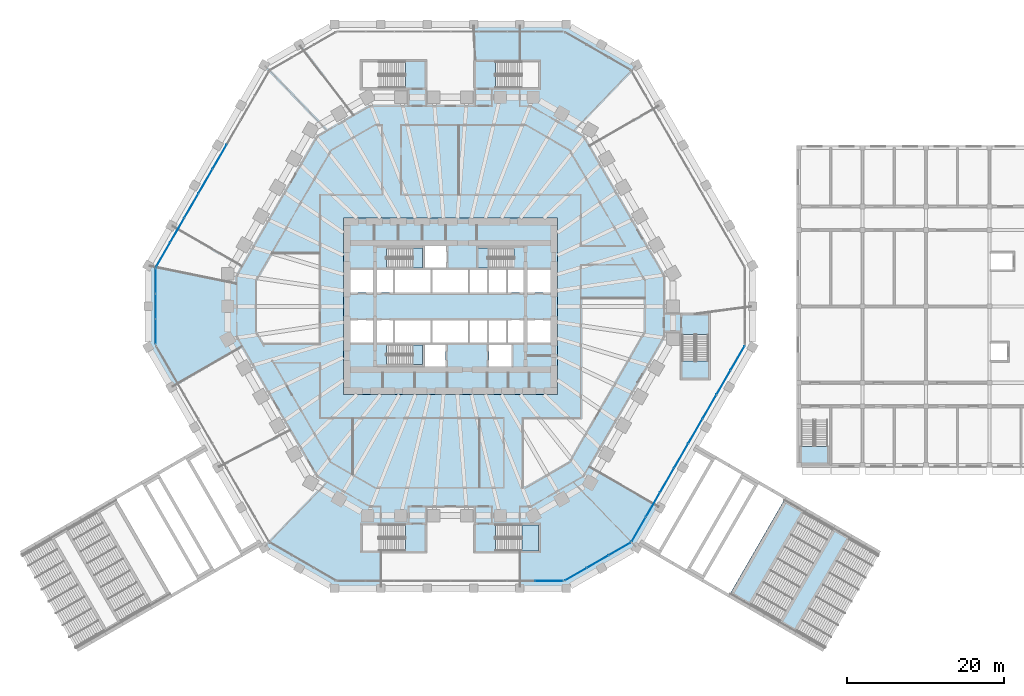
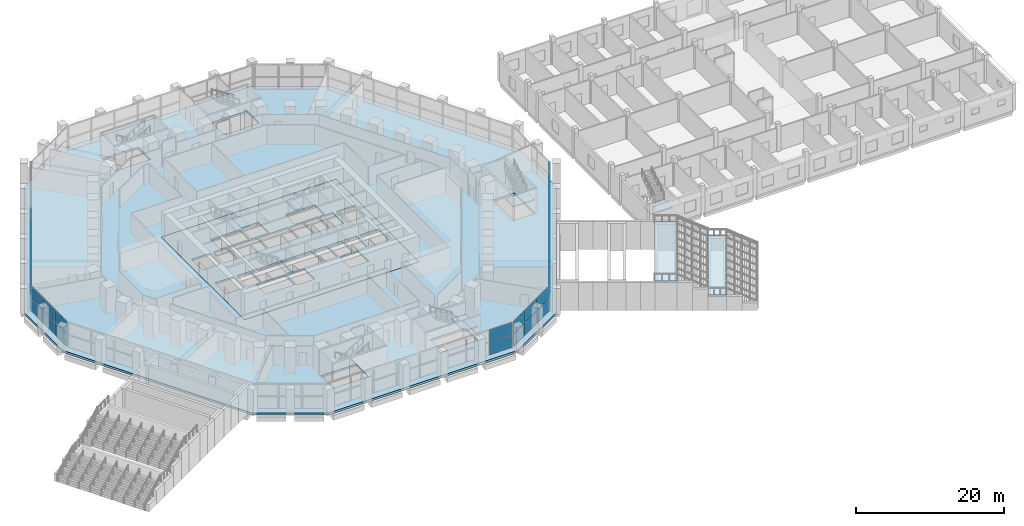
# One storey, part 16 of 38: 40 plates, 10 slabs, 12 elements without a shape of their own.
"""IFC4 building model written with IfcOpenShell, lengths in metres."""

import ifcopenshell
import ifcopenshell.guid

model = None  # the IFC model being written
_history = None  # IfcOwnerHistory: only IFC2X3 demands one
_inside = {}  # id of a spatial element -> (the spatial element, [elements in it])
_under = {}  # id of a project, library or spatial element -> (it, [spatial elements below it])
_declared = {}  # id of a project -> (the project, [libraries it declares])
_typed = {}  # id of a type object -> (the type object, [elements of that type])
_made_of = {}  # id of a material, layer set ... -> (it, [elements and type objects made of it])


def new_model(schema):
    """Start an empty IFC model of exactly this schema.

    Asked for "IFC4X3", IfcOpenShell would pick the latest addendum, in which some entities
    have other attributes; the version numbers below select the first issue.
    IFC2X3 requires an IfcOwnerHistory on every rooted entity: one is made here for all.
    """
    global model, _history
    if schema == "IFC4X3":
        model = ifcopenshell.file(schema_version=(4, 3, 0, 0))
    else:
        model = ifcopenshell.file(schema=schema)
    _inside.clear()
    _under.clear()
    _declared.clear()
    _typed.clear()
    _made_of.clear()
    _history = None
    if model.schema == "IFC2X3":
        org = make("IfcOrganization", Name="unknown")
        user = make(
            "IfcPersonAndOrganization",
            ThePerson=make("IfcPerson", FamilyName="unknown"),
            TheOrganization=org,
        )
        app = make(
            "IfcApplication",
            ApplicationDeveloper=org,
            Version="unknown",
            ApplicationFullName="unknown",
            ApplicationIdentifier="unknown",
        )
        _history = make(
            "IfcOwnerHistory",
            OwningUser=user,
            OwningApplication=app,
            ChangeAction="ADDED",
            CreationDate=0,
        )
    return model


def make(cls, **values):
    """One entity of the class cls with the attributes given. An attribute that is None is left unset."""
    return model.create_entity(
        cls, **{name: value for name, value in values.items() if value is not None}
    )


def rooted(cls, **values):
    """An entity with a GlobalId (a new one), such as an element, a storey or a relation."""
    return make(cls, GlobalId=ifcopenshell.guid.new(), OwnerHistory=_history, **values)


def si_unit(unit_type, name, prefix=None):
    """IfcSIUnit, for example si_unit("LENGTHUNIT", "METRE", prefix="MILLI")."""
    return make("IfcSIUnit", UnitType=unit_type, Prefix=prefix, Name=name)


def assignment(units):
    """IfcUnitAssignment: the units of a project."""
    return None if units is None else make("IfcUnitAssignment", Units=units)


def point(xyz):
    """IfcCartesianPoint."""
    return None if xyz is None else make("IfcCartesianPoint", Coordinates=xyz)


def direction(xyz):
    """IfcDirection."""
    return None if xyz is None else make("IfcDirection", DirectionRatios=xyz)


def frame(location, z_axis=None, x_axis=None):
    """IfcAxis2Placement3D, a coordinate frame: its origin and axes. An axis left out is left unset."""
    return make(
        "IfcAxis2Placement3D",
        Location=point(location),
        Axis=direction(z_axis),
        RefDirection=direction(x_axis),
    )


def frame_2d(location, x_axis=None):
    """IfcAxis2Placement2D, a coordinate frame in the plane: its origin and x axis."""
    return make(
        "IfcAxis2Placement2D", Location=point(location), RefDirection=direction(x_axis)
    )


def origin():
    """The frame at (0, 0, 0) with its axes left unset."""
    return frame((0.0, 0.0, 0.0))


def origin_2d():
    """The frame at (0, 0) in the plane with its x axis left unset."""
    return frame_2d((0.0, 0.0))


def place(relative_to, where):
    """IfcLocalPlacement: puts the frame where relative to a parent placement (None: the world)."""
    return make(
        "IfcLocalPlacement", PlacementRelTo=relative_to, RelativePlacement=where
    )


def context(
    kind, dimensions, precision=None, world=None, true_north=None, identifier=None
):
    """IfcGeometricRepresentationContext, for example the 3D "Model" context."""
    return make(
        "IfcGeometricRepresentationContext",
        ContextIdentifier=identifier,
        ContextType=kind,
        CoordinateSpaceDimension=dimensions,
        Precision=precision,
        WorldCoordinateSystem=world,
        TrueNorth=true_north,
    )


def subcontext(parent, identifier, kind, view, scale=None):
    """IfcGeometricRepresentationSubContext, for example "Body" below "Model"."""
    return make(
        "IfcGeometricRepresentationSubContext",
        ContextIdentifier=identifier,
        ContextType=kind,
        ParentContext=parent,
        TargetScale=scale,
        TargetView=view,
    )


def project(units=None, contexts=None):
    """IfcProject with its units and contexts."""
    return rooted(
        "IfcProject",
        Name="project",
        RepresentationContexts=contexts,
        UnitsInContext=assignment(units),
    )


def spatial(cls, under=None, at=None, **own):
    """A site, building, storey or space (cls), placed at a placement, below another one or the project."""
    s = rooted(cls, ObjectPlacement=at, **own)
    if under is not None:
        _under.setdefault(under.id(), (under, []))[1].append(s)
    return s


def polyline(points):
    """IfcPolyline through the points."""
    return make("IfcPolyline", Points=[point(p) for p in points])


def profile(cls, at=None, kind="AREA", **sizes):
    """A parametric profile (cls). Its sizes go by their IFC names, for example OverallWidth=200.0."""
    return make(cls, ProfileType=kind, Position=at, **sizes)


def rectangle(**sizes):
    """IfcRectangleProfileDef."""
    return profile("IfcRectangleProfileDef", **sizes)


def outline(outer, holes=None, kind="AREA"):
    """IfcArbitraryClosedProfileDef: a profile drawn as a closed curve; with holes, ...WithVoids."""
    if holes is None:
        return make("IfcArbitraryClosedProfileDef", ProfileType=kind, OuterCurve=outer)
    return make(
        "IfcArbitraryProfileDefWithVoids",
        ProfileType=kind,
        OuterCurve=outer,
        InnerCurves=holes,
    )


def extrude(swept, where, along, depth):
    """IfcExtrudedAreaSolid: the profile swept, set in the frame where, extruded along a direction by depth."""
    return make(
        "IfcExtrudedAreaSolid",
        SweptArea=swept,
        Position=where,
        ExtrudedDirection=direction(along),
        Depth=depth,
    )


def shape(context_of_items, identifier, shape_type, items):
    """IfcShapeRepresentation: the items that make up one representation, for example the "Body"."""
    return make(
        "IfcShapeRepresentation",
        ContextOfItems=context_of_items,
        RepresentationIdentifier=identifier,
        RepresentationType=shape_type,
        Items=items,
    )


def material(Name=None, Category=None):
    """IfcMaterial."""
    return make("IfcMaterial", Name=Name, Category=Category)


def layer(
    of_material, thickness, ventilated=None, Name=None, Category=None, Priority=None
):
    """IfcMaterialLayer: one layer of a wall or slab, of a material (None: an air gap)."""
    return make(
        "IfcMaterialLayer",
        Material=of_material,
        LayerThickness=thickness,
        IsVentilated=ventilated,
        Name=Name,
        Category=Category,
        Priority=Priority,
    )


def layer_set(layers, Name=None):
    """IfcMaterialLayerSet."""
    return make("IfcMaterialLayerSet", MaterialLayers=layers, LayerSetName=Name)


def made_of(thing, what):
    """Note that an element or type object is made of a material, layer set ...; save() writes the relation."""
    if what is not None:
        _made_of.setdefault(what.id(), (what, []))[1].append(thing)
    return thing


def type_object(cls, material=None, **own):
    """A type object (cls), such as IfcWallType, which elements share."""
    return made_of(rooted(cls, **own), material)


def element(
    cls,
    number,
    at=None,
    inside=None,
    cuts=None,
    type_object=None,
    material=None,
    context=None,
    identifier="Body",
    shape_type=None,
    held_by="IfcProductDefinitionShape",
    body=None,
    shapes=None,
    **own,
):
    """One element of the class cls, such as IfcWall. Its Tag is "e" and its number.

    at: its placement. inside: the storey or other place that contains it. cuts: it is an
    opening in that element (IfcRelVoidsElement). A single representation is given by context,
    identifier, shape_type and body (its items); several are given by shapes. held_by: the class
    of the entity that holds the representations. save() writes the other relations.
    """
    e = rooted(cls, Tag="e%d" % number, ObjectPlacement=at, **own)
    if body is not None:
        shapes = [shape(context, identifier, shape_type, body)]
    if shapes is not None:
        e.Representation = make(held_by, Representations=shapes)
    if inside is not None:
        _inside.setdefault(inside.id(), (inside, []))[1].append(e)
    if cuts is not None:
        rooted(
            "IfcRelVoidsElement", RelatingBuildingElement=cuts, RelatedOpeningElement=e
        )
    if type_object is not None:
        _typed.setdefault(type_object.id(), (type_object, []))[1].append(e)
    return made_of(e, material)


def aggregate(whole, parts):
    """IfcRelAggregates: a whole, such as a stair, and the parts it consists of."""
    return rooted("IfcRelAggregates", RelatingObject=whole, RelatedObjects=parts)


def save(model, path):
    """Write the relations noted so far, then the file.

    IfcRelAggregates (storeys below a building ...), IfcRelContainedInSpatialStructure (elements
    in a storey), IfcRelDefinesByType, IfcRelAssociatesMaterial and IfcRelDeclares: one each for
    every whole, place, type object, material and project.
    """
    for whole, parts in _under.values():
        aggregate(whole, parts)
    for where, things in _inside.values():
        rooted(
            "IfcRelContainedInSpatialStructure",
            RelatedElements=things,
            RelatingStructure=where,
        )
    for kind, things in _typed.values():
        rooted("IfcRelDefinesByType", RelatedObjects=things, RelatingType=kind)
    for what, things in _made_of.values():
        rooted("IfcRelAssociatesMaterial", RelatedObjects=things, RelatingMaterial=what)
    for by, libraries in _declared.values():
        rooted("IfcRelDeclares", RelatingContext=by, RelatedDefinitions=libraries)
    model.write(path)


model = new_model("IFC4")

# Units and contexts
model_context = context("Model", 3, precision=1e-05, world=origin(), true_north=direction((0.0, 1.0)))
body_context = subcontext(model_context, "Body", "Model", "MODEL_VIEW")
ifc_project = project(units=[si_unit("LENGTHUNIT", "METRE"), si_unit("AREAUNIT", "SQUARE_METRE"), si_unit("VOLUMEUNIT", "CUBIC_METRE"), si_unit("PLANEANGLEUNIT", "RADIAN"), si_unit("MASSUNIT", "GRAM", prefix="KILO")], contexts=[model_context])

# Site, building, storey
site_placement = place(None, origin())
site = spatial("IfcSite", under=ifc_project, at=site_placement, CompositionType="ELEMENT")
building_placement = place(site_placement, origin())
building = spatial("IfcBuilding", under=site, at=building_placement, Name="Frailejon Research Tower", CompositionType="ELEMENT")
storey_placement = place(building_placement, frame((0.0, 0.0, 5.60009765625)))
storey = spatial("IfcBuildingStorey", under=building, at=storey_placement, Name="L01", CompositionType="ELEMENT", Elevation=5.60009765625)

# Stair, slabs
ifc_material_1 = material(Name="Concrete C35/45", Category="concrete")
stair_type_1 = type_object("IfcStairType", Name="Broad stair", PredefinedType="STRAIGHT_RUN_STAIR", material=ifc_material_1)
stair_1_placement = place(storey_placement, origin())
stair_1 = element("IfcStair", 1, at=stair_1_placement, inside=storey, type_object=stair_type_1, Name="Broad stair E2", PredefinedType="STRAIGHT_RUN_STAIR")
ifc_material_2 = material(Name="Concrete C35/45", Category="concrete")
ifc_layer_1 = layer(ifc_material_2, 0.199951171875)
ifc_layer_set_1 = layer_set([ifc_layer_1], Name="Broad stair landing")
slab_type_1 = type_object("IfcSlabType", Name="Broad stair landing", PredefinedType="LANDING", material=ifc_layer_set_1)
slab_1_placement = place(storey_placement, frame((0.0, 0.0, 4.39990234375)))
slab_1 = element("IfcSlab", 2, at=slab_1_placement, type_object=slab_type_1, Name="SS-E2 landing 1", PredefinedType="LANDING", context=body_context, shape_type="SweptSolid", body=[
    extrude(outline(polyline([(35.65185546875, -36.74951171875), (38.33642578125, -38.29931640625), (45.33642578125, -26.175048828125), (42.65185546875, -24.625), (35.65185546875, -36.74951171875)])), origin(), (0.0, 0.0, 1.0), 0.199951171875),
])
slab_2_placement = place(storey_placement, frame((0.0, 0.0, 2.099853515625)))
slab_2 = element("IfcSlab", 3, at=slab_2_placement, type_object=slab_type_1, Name="SS-E2 landing 2", PredefinedType="LANDING", context=body_context, shape_type="SweptSolid", body=[
    extrude(outline(polyline([(41.88720703125, -40.349365234375), (44.138916015625, -41.6494140625), (51.138916015625, -29.52490234375), (48.88720703125, -28.22509765625), (41.88720703125, -40.349365234375)])), origin(), (0.0, 0.0, 1.0), 0.199951171875),
])
aggregate(stair_1, [slab_1, slab_2])

# Slab
ifc_material_3 = material(Name="Concrete C70/85", Category="concrete")
ifc_layer_2 = layer(ifc_material_3, 0.300048828125)
ifc_layer_set_2 = layer_set([ifc_layer_2], Name="Core floor slab 300 C70/85")
slab_type_2 = type_object("IfcSlabType", Name="Core floor slab 300 C70/85", PredefinedType="FLOOR", material=ifc_layer_set_2)
slab_3_placement = place(storey_placement, frame((0.0, 0.0, -0.300048828125)))
element("IfcSlab", 4, at=slab_3_placement, inside=storey, type_object=slab_type_2, Name="Core floor slab", PredefinedType="FLOOR", context=body_context, shape_type="SweptSolid", body=[
    extrude(outline(polyline([(13.64990234375, -11.25), (13.64990234375, 11.25), (-13.64990234375, 11.25), (-13.64990234375, -11.25), (13.64990234375, -11.25)]), holes=[polyline([(-9.85009765625, 1.75), (-9.85009765625, 4.64990234375), (-12.75, 4.64990234375), (-12.75, 1.75), (-9.85009765625, 1.75)]), polyline([(-7.300048828125, 1.75), (-7.300048828125, 4.64990234375), (-9.35009765625, 4.64990234375), (-9.35009765625, 1.75), (-7.300048828125, 1.75)]), polyline([(-2.5, 1.75), (-2.5, 4.64990234375), (-7.10009765625, 4.64990234375), (-7.10009765625, 1.75), (-2.5, 1.75)]), polyline([(2.300048828125, 1.75), (2.300048828125, 4.64990234375), (-2.300048828125, 4.64990234375), (-2.300048828125, 1.75), (2.300048828125, 1.75)]), polyline([(4.699951171875, 1.75), (4.699951171875, 4.64990234375), (2.5, 4.64990234375), (2.5, 1.75), (4.699951171875, 1.75)]), polyline([(7.10009765625, 1.75), (7.10009765625, 4.64990234375), (4.89990234375, 4.64990234375), (4.89990234375, 1.75), (7.10009765625, 1.75)]), polyline([(9.35009765625, 1.75), (9.35009765625, 4.64990234375), (7.300048828125, 4.64990234375), (7.300048828125, 1.75), (9.35009765625, 1.75)]), polyline([(12.75, 1.75), (12.75, 4.64990234375), (9.85009765625, 4.64990234375), (9.85009765625, 1.75), (12.75, 1.75)]), polyline([(-9.85009765625, -4.64990234375), (-9.85009765625, -1.75), (-12.75, -1.75), (-12.75, -4.64990234375), (-9.85009765625, -4.64990234375)]), polyline([(-7.300048828125, -4.64990234375), (-7.300048828125, -1.75), (-9.35009765625, -1.75), (-9.35009765625, -4.64990234375), (-7.300048828125, -4.64990234375)]), polyline([(-2.5, -4.64990234375), (-2.5, -1.75), (-7.10009765625, -1.75), (-7.10009765625, -4.64990234375), (-2.5, -4.64990234375)]), polyline([(2.300048828125, -4.64990234375), (2.300048828125, -1.75), (-2.300048828125, -1.75), (-2.300048828125, -4.64990234375), (2.300048828125, -4.64990234375)]), polyline([(4.699951171875, -4.64990234375), (4.699951171875, -1.75), (2.5, -1.75), (2.5, -4.64990234375), (4.699951171875, -4.64990234375)]), polyline([(7.10009765625, -4.64990234375), (7.10009765625, -1.75), (4.89990234375, -1.75), (4.89990234375, -4.64990234375), (7.10009765625, -4.64990234375)]), polyline([(9.35009765625, -4.64990234375), (9.35009765625, -1.75), (7.300048828125, -1.75), (7.300048828125, -4.64990234375), (9.35009765625, -4.64990234375)]), polyline([(12.75, -4.64990234375), (12.75, -1.75), (9.85009765625, -1.75), (9.85009765625, -4.64990234375), (12.75, -4.64990234375)]), polyline([(-8.14697265625, 4.89990234375), (-3.550048828125, 4.89990234375), (-3.550048828125, 7.449951171875), (-8.14697265625, 7.449951171875), (-8.14697265625, 4.89990234375)]), polyline([(-8.14697265625, -7.449951171875), (-3.550048828125, -7.449951171875), (-3.550048828125, -4.89990234375), (-8.14697265625, -4.89990234375), (-8.14697265625, -7.449951171875)]), polyline([(8.14697265625, 7.449951171875), (3.550048828125, 7.449951171875), (3.550048828125, 4.89990234375), (8.14697265625, 4.89990234375), (8.14697265625, 7.449951171875)]), polyline([(-0.60009765625, -7.699951171875), (-0.60009765625, -4.89990234375), (-3.300048828125, -4.89990234375), (-3.300048828125, -7.699951171875), (-0.60009765625, -7.699951171875)]), polyline([(7.800048828125, -7.699951171875), (7.800048828125, -4.89990234375), (4.89990234375, -4.89990234375), (4.89990234375, -7.699951171875), (7.800048828125, -7.699951171875)]), polyline([(-0.5, 4.89990234375), (-0.5, 7.699951171875), (-3.300048828125, 7.699951171875), (-3.300048828125, 4.89990234375), (-0.5, 4.89990234375)])]), origin(), (0.0, 0.0, 1.0), 0.300048828125),
])

# Stair, slab
ifc_material_4 = material(Name="Concrete C35/45", Category="concrete")
stair_type_2 = type_object("IfcStairType", Name="HC stair", PredefinedType="HALF_TURN_STAIR", material=ifc_material_4)
stair_2_placement = place(storey_placement, origin())
stair_2 = element("IfcStair", 5, at=stair_2_placement, inside=storey, type_object=stair_type_2, Name="L01 HC stair A", PredefinedType="HALF_TURN_STAIR")
ifc_material_5 = material(Name="Concrete C35/45", Category="concrete")
ifc_layer_3 = layer(ifc_material_5, 0.199951171875)
ifc_layer_set_3 = layer_set([ifc_layer_3], Name="HC stair landing")
slab_type_3 = type_object("IfcSlabType", Name="HC stair landing", PredefinedType="LANDING", material=ifc_layer_set_3)
slab_4_placement = place(storey_placement, frame((0.0, 0.0, 2.099853515625)))
slab_4 = element("IfcSlab", 6, at=slab_4_placement, type_object=slab_type_3, Name="HS-A landing 1", PredefinedType="LANDING", context=body_context, shape_type="SweptSolid", body=[
    extrude(outline(polyline([(44.800048828125, -17.860107421875), (44.800048828125, -20.02001953125), (48.14990234375, -20.02001953125), (48.14990234375, -17.860107421875), (44.800048828125, -17.860107421875)])), origin(), (0.0, 0.0, 1.0), 0.199951171875),
])
aggregate(stair_2, [slab_4])

# Curtain wall, plates
ifc_material_6 = material(Name="Aluminium curtain wall", Category="aluminium")
curtain_wall_type = type_object("IfcCurtainWallType", Name="Podium stick curtain wall system", PredefinedType="NOTDEFINED", material=ifc_material_6)
curtain_wall_1_placement = place(storey_placement, origin())
curtain_wall_1 = element("IfcCurtainWall", 7, at=curtain_wall_1_placement, inside=storey, type_object=curtain_wall_type, Name="Curtain wall L01", PredefinedType="NOTDEFINED")
ifc_material_7 = material(Name="Clear laminated glass", Category="glass")
ifc_layer_4 = layer(ifc_material_7, 0.031982421875)
ifc_layer_set_4 = layer_set([ifc_layer_4], Name="Podium stick curtain wall glass panel 32")
plate_type = type_object("IfcPlateType", Name="Podium stick curtain wall glass panel 32", PredefinedType="CURTAIN_PANEL", material=ifc_layer_set_4)
plate_1_placement = place(storey_placement, frame((-29.452392578125, 19.087158203125, 0.059814453125), z_axis=(0.0, 0.0, 1.0), x_axis=(-0.499998396888, -0.86602632934, 0.0)))
plate_1 = element("IfcPlate", 8, at=plate_1_placement, type_object=plate_type, Name="CW2-026 panel 4.1", PredefinedType="CURTAIN_PANEL", context=body_context, shape_type="SweptSolid", body=[
    extrude(rectangle(XDim=3.547607421875, YDim=0.031982421875, at=origin_2d()), origin(), (0.0, 0.0, 1.0), 2.06005859375),
])
plate_2_placement = place(storey_placement, frame((-29.452392578125, 19.087158203125, 2.1796875), z_axis=(0.0, 0.0, 1.0), x_axis=(-0.499998396888, -0.86602632934, 0.0)))
plate_2 = element("IfcPlate", 9, at=plate_2_placement, type_object=plate_type, Name="CW2-026 panel 4.2", PredefinedType="CURTAIN_PANEL", context=body_context, shape_type="SweptSolid", body=[
    extrude(rectangle(XDim=3.547607421875, YDim=0.031982421875, at=origin_2d()), origin(), (0.0, 0.0, 1.0), 2.010009765625),
])
plate_3_placement = place(storey_placement, frame((-31.256103515625, 15.962890625, 0.059814453125), z_axis=(0.0, 0.0, 1.0), x_axis=(-0.499998396888, -0.86602632934, 0.0)))
plate_3 = element("IfcPlate", 10, at=plate_3_placement, type_object=plate_type, Name="CW2-026 panel 5.1", PredefinedType="CURTAIN_PANEL", context=body_context, shape_type="SweptSolid", body=[
    extrude(rectangle(XDim=3.547607421875, YDim=0.031982421875, at=origin_2d()), origin(), (0.0, 0.0, 1.0), 2.06005859375),
])
plate_4_placement = place(storey_placement, frame((-31.256103515625, 15.962890625, 2.1796875), z_axis=(0.0, 0.0, 1.0), x_axis=(-0.499998396888, -0.86602632934, 0.0)))
plate_4 = element("IfcPlate", 11, at=plate_4_placement, type_object=plate_type, Name="CW2-026 panel 5.2", PredefinedType="CURTAIN_PANEL", context=body_context, shape_type="SweptSolid", body=[
    extrude(rectangle(XDim=3.547607421875, YDim=0.031982421875, at=origin_2d()), origin(), (0.0, 0.0, 1.0), 2.010009765625),
])
plate_5_placement = place(storey_placement, frame((-33.059814453125, 12.838623046875, 0.059814453125), z_axis=(0.0, 0.0, 1.0), x_axis=(-0.499998396888, -0.86602632934, 0.0)))
plate_5 = element("IfcPlate", 12, at=plate_5_placement, type_object=plate_type, Name="CW2-026 panel 6.1", PredefinedType="CURTAIN_PANEL", context=body_context, shape_type="SweptSolid", body=[
    extrude(rectangle(XDim=3.547607421875, YDim=0.031982421875, at=origin_2d()), origin(), (0.0, 0.0, 1.0), 2.06005859375),
])
plate_6_placement = place(storey_placement, frame((-33.059814453125, 12.838623046875, 2.1796875), z_axis=(0.0, 0.0, 1.0), x_axis=(-0.499998396888, -0.86602632934, 0.0)))
plate_6 = element("IfcPlate", 13, at=plate_6_placement, type_object=plate_type, Name="CW2-026 panel 6.2", PredefinedType="CURTAIN_PANEL", context=body_context, shape_type="SweptSolid", body=[
    extrude(rectangle(XDim=3.547607421875, YDim=0.031982421875, at=origin_2d()), origin(), (0.0, 0.0, 1.0), 2.010009765625),
])
plate_7_placement = place(storey_placement, frame((-34.863525390625, 9.714599609375, 0.059814453125), z_axis=(0.0, 0.0, 1.0), x_axis=(-0.499998396888, -0.86602632934, 0.0)))
plate_7 = element("IfcPlate", 14, at=plate_7_placement, type_object=plate_type, Name="CW2-026 panel 7.1", PredefinedType="CURTAIN_PANEL", context=body_context, shape_type="SweptSolid", body=[
    extrude(rectangle(XDim=3.547607421875, YDim=0.031982421875, at=origin_2d()), origin(), (0.0, 0.0, 1.0), 2.06005859375),
])
plate_8_placement = place(storey_placement, frame((-34.863525390625, 9.714599609375, 2.1796875), z_axis=(0.0, 0.0, 1.0), x_axis=(-0.499998396888, -0.86602632934, 0.0)))
plate_8 = element("IfcPlate", 15, at=plate_8_placement, type_object=plate_type, Name="CW2-026 panel 7.2", PredefinedType="CURTAIN_PANEL", context=body_context, shape_type="SweptSolid", body=[
    extrude(rectangle(XDim=3.547607421875, YDim=0.031982421875, at=origin_2d()), origin(), (0.0, 0.0, 1.0), 2.010009765625),
])
plate_9_placement = place(storey_placement, frame((-36.659912109375, 6.603271484375, 0.059814453125), z_axis=(0.0, 0.0, 1.0), x_axis=(-0.499998396888, -0.86602632934, 0.0)))
plate_9 = element("IfcPlate", 16, at=plate_9_placement, type_object=plate_type, Name="CW2-026 panel 8.1", PredefinedType="CURTAIN_PANEL", context=body_context, shape_type="SweptSolid", body=[
    extrude(rectangle(XDim=3.517578125, YDim=0.031982421875, at=origin_2d()), origin(), (0.0, 0.0, 1.0), 2.06005859375),
])
plate_10_placement = place(storey_placement, frame((-36.659912109375, 6.603271484375, 2.1796875), z_axis=(0.0, 0.0, 1.0), x_axis=(-0.499998396888, -0.86602632934, 0.0)))
plate_10 = element("IfcPlate", 17, at=plate_10_placement, type_object=plate_type, Name="CW2-026 panel 8.2", PredefinedType="CURTAIN_PANEL", context=body_context, shape_type="SweptSolid", body=[
    extrude(rectangle(XDim=3.517578125, YDim=0.031982421875, at=origin_2d()), origin(), (0.0, 0.0, 1.0), 2.010009765625),
])
aggregate(curtain_wall_1, [plate_1, plate_2, plate_3, plate_4, plate_5, plate_6, plate_7, plate_8, plate_9, plate_10])

curtain_wall_2_placement = place(storey_placement, origin())
curtain_wall_2 = element("IfcCurtainWall", 18, at=curtain_wall_2_placement, inside=storey, type_object=curtain_wall_type, Name="Curtain wall L01", PredefinedType="NOTDEFINED")
plate_11_placement = place(storey_placement, frame((-37.619140625, 3.212646484375, 0.059814453125), z_axis=(0.0, 0.0, 1.0), x_axis=(0.0, -1.0, 0.0)))
plate_11 = element("IfcPlate", 19, at=plate_11_placement, type_object=plate_type, Name="CW2-027 panel 1.1", PredefinedType="CURTAIN_PANEL", context=body_context, shape_type="SweptSolid", body=[
    extrude(rectangle(XDim=3.1376953125, YDim=0.031982421875, at=origin_2d()), origin(), (0.0, 0.0, 1.0), 2.06005859375),
])
plate_12_placement = place(storey_placement, frame((-37.619140625, 3.212646484375, 2.1796875), z_axis=(0.0, 0.0, 1.0), x_axis=(0.0, -1.0, 0.0)))
plate_12 = element("IfcPlate", 20, at=plate_12_placement, type_object=plate_type, Name="CW2-027 panel 1.2", PredefinedType="CURTAIN_PANEL", context=body_context, shape_type="SweptSolid", body=[
    extrude(rectangle(XDim=3.1376953125, YDim=0.031982421875, at=origin_2d()), origin(), (0.0, 0.0, 1.0), 2.010009765625),
])
plate_13_placement = place(storey_placement, frame((-37.619140625, 0.0, 0.059814453125), z_axis=(0.0, 0.0, 1.0), x_axis=(0.0, -1.0, 0.0)))
plate_13 = element("IfcPlate", 21, at=plate_13_placement, type_object=plate_type, Name="CW2-027 panel 2.1", PredefinedType="CURTAIN_PANEL", context=body_context, shape_type="SweptSolid", body=[
    extrude(rectangle(XDim=3.167724609375, YDim=0.031982421875, at=origin_2d()), origin(), (0.0, 0.0, 1.0), 2.06005859375),
])
plate_14_placement = place(storey_placement, frame((-37.619140625, 0.0, 2.1796875), z_axis=(0.0, 0.0, 1.0), x_axis=(0.0, -1.0, 0.0)))
plate_14 = element("IfcPlate", 22, at=plate_14_placement, type_object=plate_type, Name="CW2-027 panel 2.2", PredefinedType="CURTAIN_PANEL", context=body_context, shape_type="SweptSolid", body=[
    extrude(rectangle(XDim=3.167724609375, YDim=0.031982421875, at=origin_2d()), origin(), (0.0, 0.0, 1.0), 2.010009765625),
])
plate_15_placement = place(storey_placement, frame((-37.619140625, -3.212646484375, 0.059814453125), z_axis=(0.0, 0.0, 1.0), x_axis=(0.0, -1.0, 0.0)))
plate_15 = element("IfcPlate", 23, at=plate_15_placement, type_object=plate_type, Name="CW2-027 panel 3.1", PredefinedType="CURTAIN_PANEL", context=body_context, shape_type="SweptSolid", body=[
    extrude(rectangle(XDim=3.1376953125, YDim=0.031982421875, at=origin_2d()), origin(), (0.0, 0.0, 1.0), 2.06005859375),
])
plate_16_placement = place(storey_placement, frame((-37.619140625, -3.212646484375, 2.1796875), z_axis=(0.0, 0.0, 1.0), x_axis=(0.0, -1.0, 0.0)))
plate_16 = element("IfcPlate", 24, at=plate_16_placement, type_object=plate_type, Name="CW2-027 panel 3.2", PredefinedType="CURTAIN_PANEL", context=body_context, shape_type="SweptSolid", body=[
    extrude(rectangle(XDim=3.1376953125, YDim=0.031982421875, at=origin_2d()), origin(), (0.0, 0.0, 1.0), 2.010009765625),
])
aggregate(curtain_wall_2, [plate_11, plate_12, plate_13, plate_14, plate_15, plate_16])

curtain_wall_3_placement = place(storey_placement, origin())
curtain_wall_3 = element("IfcCurtainWall", 25, at=curtain_wall_3_placement, inside=storey, type_object=curtain_wall_type, Name="Curtain wall L01", PredefinedType="NOTDEFINED")
plate_17_placement = place(storey_placement, frame((12.611328125, -35.050048828125, 0.059814453125), z_axis=(0.0, 0.0, 1.0), x_axis=(1.0, 0.0, 0.0)))
plate_17 = element("IfcPlate", 26, at=plate_17_placement, type_object=plate_type, Name="CW2-030 panel 8.1", PredefinedType="CURTAIN_PANEL", context=body_context, shape_type="SweptSolid", body=[
    extrude(rectangle(XDim=3.517578125, YDim=0.031982421875, at=origin_2d()), origin(), (0.0, 0.0, 1.0), 2.06005859375),
])
plate_18_placement = place(storey_placement, frame((12.611328125, -35.050048828125, 2.1796875), z_axis=(0.0, 0.0, 1.0), x_axis=(1.0, 0.0, 0.0)))
plate_18 = element("IfcPlate", 27, at=plate_18_placement, type_object=plate_type, Name="CW2-030 panel 8.2", PredefinedType="CURTAIN_PANEL", context=body_context, shape_type="SweptSolid", body=[
    extrude(rectangle(XDim=3.517578125, YDim=0.031982421875, at=origin_2d()), origin(), (0.0, 0.0, 1.0), 2.010009765625),
])
aggregate(curtain_wall_3, [plate_17, plate_18])

curtain_wall_4_placement = place(storey_placement, origin())
curtain_wall_4 = element("IfcCurtainWall", 28, at=curtain_wall_4_placement, inside=storey, type_object=curtain_wall_type, Name="Curtain wall L01", PredefinedType="NOTDEFINED")
plate_19_placement = place(storey_placement, frame((16.02734375, -34.185546875, 0.059814453125), z_axis=(0.0, 0.0, 1.0), x_axis=(0.866025476338, 0.499999874334, 0.0)))
plate_19 = element("IfcPlate", 29, at=plate_19_placement, type_object=plate_type, Name="CW2-031 panel 1.1", PredefinedType="CURTAIN_PANEL", context=body_context, shape_type="SweptSolid", body=[
    extrude(rectangle(XDim=3.1376953125, YDim=0.031982421875, at=origin_2d()), origin(), (0.0, 0.0, 1.0), 2.06005859375),
])
plate_20_placement = place(storey_placement, frame((16.02734375, -34.185546875, 2.1796875), z_axis=(0.0, 0.0, 1.0), x_axis=(0.866025476338, 0.499999874334, 0.0)))
plate_20 = element("IfcPlate", 30, at=plate_20_placement, type_object=plate_type, Name="CW2-031 panel 1.2", PredefinedType="CURTAIN_PANEL", context=body_context, shape_type="SweptSolid", body=[
    extrude(rectangle(XDim=3.1376953125, YDim=0.031982421875, at=origin_2d()), origin(), (0.0, 0.0, 1.0), 2.010009765625),
])
plate_21_placement = place(storey_placement, frame((18.8095703125, -32.5791015625, 0.059814453125), z_axis=(0.0, 0.0, 1.0), x_axis=(0.866025476338, 0.499999874334, 0.0)))
plate_21 = element("IfcPlate", 31, at=plate_21_placement, type_object=plate_type, Name="CW2-031 panel 2.1", PredefinedType="CURTAIN_PANEL", context=body_context, shape_type="SweptSolid", body=[
    extrude(rectangle(XDim=3.167724609375, YDim=0.031982421875, at=origin_2d()), origin(), (0.0, 0.0, 1.0), 2.06005859375),
])
plate_22_placement = place(storey_placement, frame((18.8095703125, -32.5791015625, 2.1796875), z_axis=(0.0, 0.0, 1.0), x_axis=(0.866025476338, 0.499999874334, 0.0)))
plate_22 = element("IfcPlate", 32, at=plate_22_placement, type_object=plate_type, Name="CW2-031 panel 2.2", PredefinedType="CURTAIN_PANEL", context=body_context, shape_type="SweptSolid", body=[
    extrude(rectangle(XDim=3.167724609375, YDim=0.031982421875, at=origin_2d()), origin(), (0.0, 0.0, 1.0), 2.010009765625),
])
plate_23_placement = place(storey_placement, frame((21.592041015625, -30.972900390625, 0.059814453125), z_axis=(0.0, 0.0, 1.0), x_axis=(0.866025476338, 0.499999874334, 0.0)))
plate_23 = element("IfcPlate", 33, at=plate_23_placement, type_object=plate_type, Name="CW2-031 panel 3.1", PredefinedType="CURTAIN_PANEL", context=body_context, shape_type="SweptSolid", body=[
    extrude(rectangle(XDim=3.1376953125, YDim=0.031982421875, at=origin_2d()), origin(), (0.0, 0.0, 1.0), 2.06005859375),
])
plate_24_placement = place(storey_placement, frame((21.592041015625, -30.972900390625, 2.1796875), z_axis=(0.0, 0.0, 1.0), x_axis=(0.866025476338, 0.499999874334, 0.0)))
plate_24 = element("IfcPlate", 34, at=plate_24_placement, type_object=plate_type, Name="CW2-031 panel 3.2", PredefinedType="CURTAIN_PANEL", context=body_context, shape_type="SweptSolid", body=[
    extrude(rectangle(XDim=3.1376953125, YDim=0.031982421875, at=origin_2d()), origin(), (0.0, 0.0, 1.0), 2.010009765625),
])
aggregate(curtain_wall_4, [plate_19, plate_20, plate_21, plate_22, plate_23, plate_24])

curtain_wall_5_placement = place(storey_placement, origin())
curtain_wall_5 = element("IfcCurtainWall", 35, at=curtain_wall_5_placement, inside=storey, type_object=curtain_wall_type, Name="Curtain wall L01", PredefinedType="NOTDEFINED")
plate_25_placement = place(storey_placement, frame((24.048583984375, -28.44677734375, 0.059814453125), z_axis=(0.0, 0.0, 1.0), x_axis=(0.499998396888, 0.86602632934, 0.0)))
plate_25 = element("IfcPlate", 36, at=plate_25_placement, type_object=plate_type, Name="CW2-032 panel 1.1", PredefinedType="CURTAIN_PANEL", context=body_context, shape_type="SweptSolid", body=[
    extrude(rectangle(XDim=3.517578125, YDim=0.031982421875, at=origin_2d()), origin(), (0.0, 0.0, 1.0), 2.06005859375),
])
plate_26_placement = place(storey_placement, frame((24.048583984375, -28.44677734375, 2.1796875), z_axis=(0.0, 0.0, 1.0), x_axis=(0.499998396888, 0.86602632934, 0.0)))
plate_26 = element("IfcPlate", 37, at=plate_26_placement, type_object=plate_type, Name="CW2-032 panel 1.2", PredefinedType="CURTAIN_PANEL", context=body_context, shape_type="SweptSolid", body=[
    extrude(rectangle(XDim=3.517578125, YDim=0.031982421875, at=origin_2d()), origin(), (0.0, 0.0, 1.0), 2.010009765625),
])
plate_27_placement = place(storey_placement, frame((25.8447265625, -25.33544921875, 0.059814453125), z_axis=(0.0, 0.0, 1.0), x_axis=(0.499998396888, 0.86602632934, 0.0)))
plate_27 = element("IfcPlate", 38, at=plate_27_placement, type_object=plate_type, Name="CW2-032 panel 2.1", PredefinedType="CURTAIN_PANEL", context=body_context, shape_type="SweptSolid", body=[
    extrude(rectangle(XDim=3.547607421875, YDim=0.031982421875, at=origin_2d()), origin(), (0.0, 0.0, 1.0), 2.06005859375),
])
plate_28_placement = place(storey_placement, frame((25.8447265625, -25.33544921875, 2.1796875), z_axis=(0.0, 0.0, 1.0), x_axis=(0.499998396888, 0.86602632934, 0.0)))
plate_28 = element("IfcPlate", 39, at=plate_28_placement, type_object=plate_type, Name="CW2-032 panel 2.2", PredefinedType="CURTAIN_PANEL", context=body_context, shape_type="SweptSolid", body=[
    extrude(rectangle(XDim=3.547607421875, YDim=0.031982421875, at=origin_2d()), origin(), (0.0, 0.0, 1.0), 2.010009765625),
])
plate_29_placement = place(storey_placement, frame((27.648681640625, -22.211181640625, 0.059814453125), z_axis=(0.0, 0.0, 1.0), x_axis=(0.499998396888, 0.86602632934, 0.0)))
plate_29 = element("IfcPlate", 40, at=plate_29_placement, type_object=plate_type, Name="CW2-032 panel 3.1", PredefinedType="CURTAIN_PANEL", context=body_context, shape_type="SweptSolid", body=[
    extrude(rectangle(XDim=3.547607421875, YDim=0.031982421875, at=origin_2d()), origin(), (0.0, 0.0, 1.0), 2.06005859375),
])
plate_30_placement = place(storey_placement, frame((27.648681640625, -22.211181640625, 2.1796875), z_axis=(0.0, 0.0, 1.0), x_axis=(0.499998396888, 0.86602632934, 0.0)))
plate_30 = element("IfcPlate", 41, at=plate_30_placement, type_object=plate_type, Name="CW2-032 panel 3.2", PredefinedType="CURTAIN_PANEL", context=body_context, shape_type="SweptSolid", body=[
    extrude(rectangle(XDim=3.547607421875, YDim=0.031982421875, at=origin_2d()), origin(), (0.0, 0.0, 1.0), 2.010009765625),
])
plate_31_placement = place(storey_placement, frame((29.452392578125, -19.087158203125, 0.059814453125), z_axis=(0.0, 0.0, 1.0), x_axis=(0.499998396888, 0.86602632934, 0.0)))
plate_31 = element("IfcPlate", 42, at=plate_31_placement, type_object=plate_type, Name="CW2-032 panel 4.1", PredefinedType="CURTAIN_PANEL", context=body_context, shape_type="SweptSolid", body=[
    extrude(rectangle(XDim=3.547607421875, YDim=0.031982421875, at=origin_2d()), origin(), (0.0, 0.0, 1.0), 2.06005859375),
])
plate_32_placement = place(storey_placement, frame((29.452392578125, -19.087158203125, 2.1796875), z_axis=(0.0, 0.0, 1.0), x_axis=(0.499998396888, 0.86602632934, 0.0)))
plate_32 = element("IfcPlate", 43, at=plate_32_placement, type_object=plate_type, Name="CW2-032 panel 4.2", PredefinedType="CURTAIN_PANEL", context=body_context, shape_type="SweptSolid", body=[
    extrude(rectangle(XDim=3.547607421875, YDim=0.031982421875, at=origin_2d()), origin(), (0.0, 0.0, 1.0), 2.010009765625),
])
plate_33_placement = place(storey_placement, frame((31.256103515625, -15.962890625, 0.059814453125), z_axis=(0.0, 0.0, 1.0), x_axis=(0.499998396888, 0.86602632934, 0.0)))
plate_33 = element("IfcPlate", 44, at=plate_33_placement, type_object=plate_type, Name="CW2-032 panel 5.1", PredefinedType="CURTAIN_PANEL", context=body_context, shape_type="SweptSolid", body=[
    extrude(rectangle(XDim=3.547607421875, YDim=0.031982421875, at=origin_2d()), origin(), (0.0, 0.0, 1.0), 2.06005859375),
])
plate_34_placement = place(storey_placement, frame((31.256103515625, -15.962890625, 2.1796875), z_axis=(0.0, 0.0, 1.0), x_axis=(0.499998396888, 0.86602632934, 0.0)))
plate_34 = element("IfcPlate", 45, at=plate_34_placement, type_object=plate_type, Name="CW2-032 panel 5.2", PredefinedType="CURTAIN_PANEL", context=body_context, shape_type="SweptSolid", body=[
    extrude(rectangle(XDim=3.547607421875, YDim=0.031982421875, at=origin_2d()), origin(), (0.0, 0.0, 1.0), 2.010009765625),
])
plate_35_placement = place(storey_placement, frame((33.059814453125, -12.838623046875, 0.059814453125), z_axis=(0.0, 0.0, 1.0), x_axis=(0.499998396888, 0.86602632934, 0.0)))
plate_35 = element("IfcPlate", 46, at=plate_35_placement, type_object=plate_type, Name="CW2-032 panel 6.1", PredefinedType="CURTAIN_PANEL", context=body_context, shape_type="SweptSolid", body=[
    extrude(rectangle(XDim=3.547607421875, YDim=0.031982421875, at=origin_2d()), origin(), (0.0, 0.0, 1.0), 2.06005859375),
])
plate_36_placement = place(storey_placement, frame((33.059814453125, -12.838623046875, 2.1796875), z_axis=(0.0, 0.0, 1.0), x_axis=(0.499998396888, 0.86602632934, 0.0)))
plate_36 = element("IfcPlate", 47, at=plate_36_placement, type_object=plate_type, Name="CW2-032 panel 6.2", PredefinedType="CURTAIN_PANEL", context=body_context, shape_type="SweptSolid", body=[
    extrude(rectangle(XDim=3.547607421875, YDim=0.031982421875, at=origin_2d()), origin(), (0.0, 0.0, 1.0), 2.010009765625),
])
plate_37_placement = place(storey_placement, frame((34.863525390625, -9.714599609375, 0.059814453125), z_axis=(0.0, 0.0, 1.0), x_axis=(0.499998396888, 0.86602632934, 0.0)))
plate_37 = element("IfcPlate", 48, at=plate_37_placement, type_object=plate_type, Name="CW2-032 panel 7.1", PredefinedType="CURTAIN_PANEL", context=body_context, shape_type="SweptSolid", body=[
    extrude(rectangle(XDim=3.547607421875, YDim=0.031982421875, at=origin_2d()), origin(), (0.0, 0.0, 1.0), 2.06005859375),
])
plate_38_placement = place(storey_placement, frame((34.863525390625, -9.714599609375, 2.1796875), z_axis=(0.0, 0.0, 1.0), x_axis=(0.499998396888, 0.86602632934, 0.0)))
plate_38 = element("IfcPlate", 49, at=plate_38_placement, type_object=plate_type, Name="CW2-032 panel 7.2", PredefinedType="CURTAIN_PANEL", context=body_context, shape_type="SweptSolid", body=[
    extrude(rectangle(XDim=3.547607421875, YDim=0.031982421875, at=origin_2d()), origin(), (0.0, 0.0, 1.0), 2.010009765625),
])
plate_39_placement = place(storey_placement, frame((36.659912109375, -6.603271484375, 0.059814453125), z_axis=(0.0, 0.0, 1.0), x_axis=(0.499998396888, 0.86602632934, 0.0)))
plate_39 = element("IfcPlate", 50, at=plate_39_placement, type_object=plate_type, Name="CW2-032 panel 8.1", PredefinedType="CURTAIN_PANEL", context=body_context, shape_type="SweptSolid", body=[
    extrude(rectangle(XDim=3.517578125, YDim=0.031982421875, at=origin_2d()), origin(), (0.0, 0.0, 1.0), 2.06005859375),
])
plate_40_placement = place(storey_placement, frame((36.659912109375, -6.603271484375, 2.1796875), z_axis=(0.0, 0.0, 1.0), x_axis=(0.499998396888, 0.86602632934, 0.0)))
plate_40 = element("IfcPlate", 51, at=plate_40_placement, type_object=plate_type, Name="CW2-032 panel 8.2", PredefinedType="CURTAIN_PANEL", context=body_context, shape_type="SweptSolid", body=[
    extrude(rectangle(XDim=3.517578125, YDim=0.031982421875, at=origin_2d()), origin(), (0.0, 0.0, 1.0), 2.010009765625),
])
aggregate(curtain_wall_5, [plate_25, plate_26, plate_27, plate_28, plate_29, plate_30, plate_31, plate_32, plate_33, plate_34, plate_35, plate_36, plate_37, plate_38, plate_39, plate_40])

# Slab
ifc_material_8 = material(Name="Concrete C40/50", Category="concrete")
ifc_layer_5 = layer(ifc_material_8, 0.35009765625)
ifc_layer_set_5 = layer_set([ifc_layer_5], Name="Slab podium 350")
slab_type_4 = type_object("IfcSlabType", Name="Slab podium 350", PredefinedType="FLOOR", material=ifc_layer_set_5)
slab_5_placement = place(storey_placement, frame((0.0, 0.0, -0.35009765625)))
element("IfcSlab", 52, at=slab_5_placement, inside=storey, type_object=slab_type_4, Name="Floor slab L01", PredefinedType="FLOOR", context=body_context, shape_type="SweptSolid", body=[
    extrude(outline(polyline([(23.78466796875, -30.8037109375), (38.569091796875, -5.1962890625), (38.569091796875, 5.1962890625), (23.78466796875, 30.8037109375), (14.78466796875, 36.0), (-14.78466796875, 36.0), (-23.78466796875, 30.8037109375), (-38.569091796875, 5.1962890625), (-38.569091796875, -5.1962890625), (-23.78466796875, -30.8037109375), (-14.78466796875, -36.0), (14.78466796875, -36.0), (23.78466796875, -30.8037109375)]), holes=[polyline([(13.64990234375, 11.25), (13.64990234375, -11.25), (-13.64990234375, -11.25), (-13.64990234375, 11.25), (13.64990234375, 11.25)]), polyline([(-11.27685546875, -31.22509765625), (-11.27685546875, -27.875), (-5.760009765625, -27.875), (-5.760009765625, -31.22509765625), (-11.27685546875, -31.22509765625)]), polyline([(11.27685546875, -27.875), (11.27685546875, -31.22509765625), (5.760009765625, -31.22509765625), (5.760009765625, -27.875), (11.27685546875, -27.875)]), polyline([(32.937744140625, -9.138916015625), (29.587890625, -9.138916015625), (29.587890625, -3.621826171875), (32.937744140625, -3.621826171875), (32.937744140625, -9.138916015625)]), polyline([(-11.27685546875, 31.22509765625), (-5.760009765625, 31.22509765625), (-5.760009765625, 27.875), (-11.27685546875, 27.875), (-11.27685546875, 31.22509765625)]), polyline([(11.27685546875, 27.875), (5.760009765625, 27.875), (5.760009765625, 31.22509765625), (11.27685546875, 31.22509765625), (11.27685546875, 27.875)])]), origin(), (0.0, 0.0, 1.0), 0.35009765625),
])

# Stair, slab
ifc_material_9 = material(Name="Concrete C50/60", Category="concrete")
stair_type_3 = type_object("IfcStairType", Name="Exit stair 26 risers", PredefinedType="HALF_TURN_STAIR", material=ifc_material_9)
stair_3_placement = place(storey_placement, origin())
stair_3 = element("IfcStair", 53, at=stair_3_placement, inside=storey, type_object=stair_type_3, Name="L01 Exit stair ST1", PredefinedType="HALF_TURN_STAIR")
ifc_material_10 = material(Name="Concrete C50/60", Category="concrete")
ifc_layer_6 = layer(ifc_material_10, 0.199951171875)
ifc_layer_set_6 = layer_set([ifc_layer_6], Name="Stair landing slab 200")
slab_type_5 = type_object("IfcSlabType", Name="Stair landing slab 200", PredefinedType="LANDING", material=ifc_layer_set_6)
slab_6_placement = place(storey_placement, frame((0.0, 0.0, 2.099853515625)))
slab_6 = element("IfcSlab", 54, at=slab_6_placement, type_object=slab_type_5, Name="ST1 landing 1", PredefinedType="LANDING", context=body_context, shape_type="SweptSolid", body=[
    extrude(outline(polyline([(-4.7900390625, 4.89990234375), (-3.550048828125, 4.89990234375), (-3.550048828125, 7.449951171875), (-4.7900390625, 7.449951171875), (-4.7900390625, 4.89990234375)])), origin(), (0.0, 0.0, 1.0), 0.199951171875),
])
aggregate(stair_3, [slab_6])

stair_4_placement = place(storey_placement, origin())
stair_4 = element("IfcStair", 55, at=stair_4_placement, inside=storey, type_object=stair_type_3, Name="L01 Exit stair ST2", PredefinedType="HALF_TURN_STAIR")
slab_7_placement = place(storey_placement, frame((0.0, 0.0, 2.099853515625)))
slab_7 = element("IfcSlab", 56, at=slab_7_placement, type_object=slab_type_5, Name="ST2 landing 1", PredefinedType="LANDING", context=body_context, shape_type="SweptSolid", body=[
    extrude(outline(polyline([(-4.7900390625, -7.449951171875), (-3.550048828125, -7.449951171875), (-3.550048828125, -4.89990234375), (-4.7900390625, -4.89990234375), (-4.7900390625, -7.449951171875)])), origin(), (0.0, 0.0, 1.0), 0.199951171875),
])
aggregate(stair_4, [slab_7])

stair_5_placement = place(storey_placement, origin())
stair_5 = element("IfcStair", 57, at=stair_5_placement, inside=storey, type_object=stair_type_3, Name="L01 Exit stair ST3", PredefinedType="HALF_TURN_STAIR")
slab_8_placement = place(storey_placement, frame((0.0, 0.0, 2.099853515625)))
slab_8 = element("IfcSlab", 58, at=slab_8_placement, type_object=slab_type_5, Name="ST3 landing 1", PredefinedType="LANDING", context=body_context, shape_type="SweptSolid", body=[
    extrude(outline(polyline([(4.7900390625, 7.449951171875), (3.550048828125, 7.449951171875), (3.550048828125, 4.89990234375), (4.7900390625, 4.89990234375), (4.7900390625, 7.449951171875)])), origin(), (0.0, 0.0, 1.0), 0.199951171875),
])
aggregate(stair_5, [slab_8])

stair_6_placement = place(storey_placement, origin())
stair_6 = element("IfcStair", 59, at=stair_6_placement, inside=storey, type_object=stair_type_3, Name="L01 Exit stair PS4", PredefinedType="HALF_TURN_STAIR")
slab_9_placement = place(storey_placement, frame((0.0, 0.0, 2.099853515625)))
slab_9 = element("IfcSlab", 60, at=slab_9_placement, type_object=slab_type_5, Name="PS4 landing 1", PredefinedType="LANDING", context=body_context, shape_type="SweptSolid", body=[
    extrude(outline(polyline([(9.116943359375, -31.22509765625), (11.27685546875, -31.22509765625), (11.27685546875, -27.875), (9.116943359375, -27.875), (9.116943359375, -31.22509765625)])), origin(), (0.0, 0.0, 1.0), 0.199951171875),
])
aggregate(stair_6, [slab_9])

stair_7_placement = place(storey_placement, origin())
stair_7 = element("IfcStair", 61, at=stair_7_placement, inside=storey, type_object=stair_type_3, Name="L01 Exit stair PS5", PredefinedType="HALF_TURN_STAIR")
slab_10_placement = place(storey_placement, frame((0.0, 0.0, 2.099853515625)))
slab_10 = element("IfcSlab", 62, at=slab_10_placement, type_object=slab_type_5, Name="PS5 landing 1", PredefinedType="LANDING", context=body_context, shape_type="SweptSolid", body=[
    extrude(outline(polyline([(29.587890625, -6.978759765625), (29.587890625, -9.138916015625), (32.937744140625, -9.138916015625), (32.937744140625, -6.978759765625), (29.587890625, -6.978759765625)])), origin(), (0.0, 0.0, 1.0), 0.199951171875),
])
aggregate(stair_7, [slab_10])

save(model, "model.ifc")
